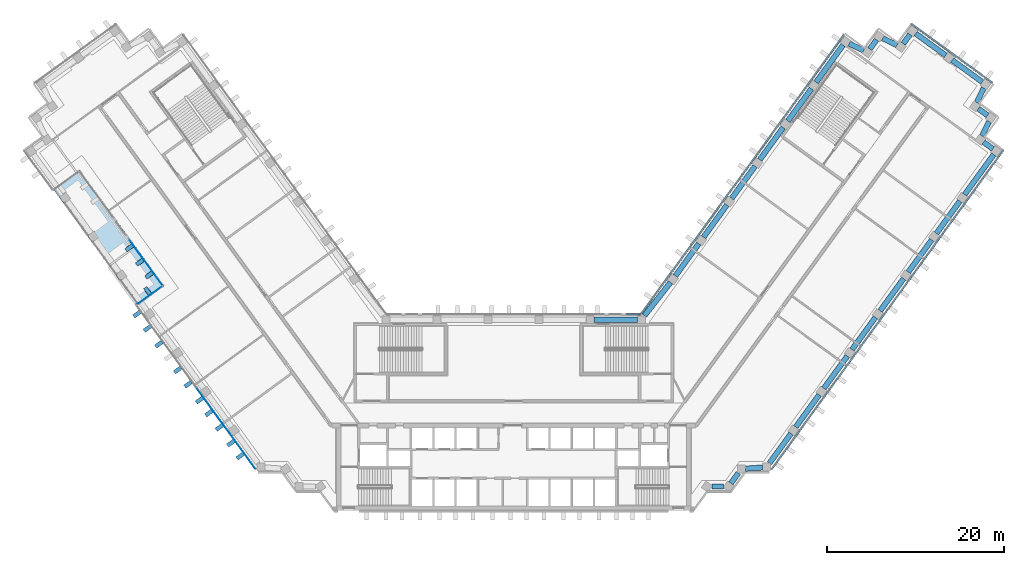
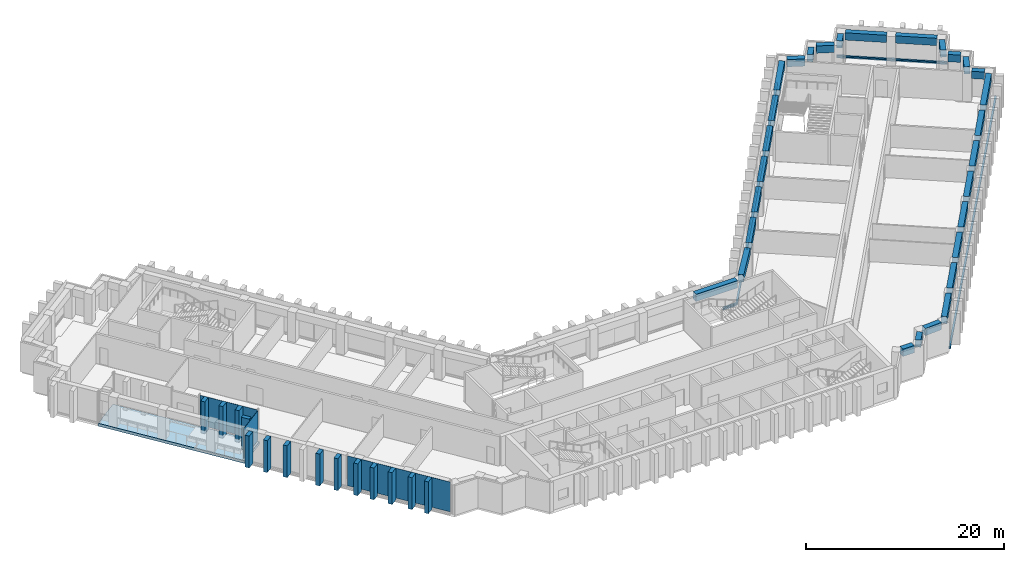
"""IFC4 building model written with IfcOpenShell, lengths in metres."""

from ifc_helpers import new_model, si_unit, direction, frame, origin, origin_2d, place, context, subcontext, project, spatial, polyline, rectangle, outline, extrude, material, layer, layer_set, material_profile, profile_set, type_object, element, aggregate, save


model = new_model("IFC4")

# Units and contexts
model_context = context("Model", 3, precision=1e-05, world=origin(), true_north=direction((0.0, 1.0)))
body_context = subcontext(model_context, "Body", "Model", "MODEL_VIEW")
ifc_project = project(units=[si_unit("LENGTHUNIT", "METRE"), si_unit("AREAUNIT", "SQUARE_METRE"), si_unit("VOLUMEUNIT", "CUBIC_METRE"), si_unit("PLANEANGLEUNIT", "RADIAN"), si_unit("MASSUNIT", "GRAM", prefix="KILO")], contexts=[model_context])

# Site, building, storey
site_placement = place(None, origin())
site = spatial("IfcSite", under=ifc_project, at=site_placement, CompositionType="ELEMENT")
building_placement = place(site_placement, origin())
building = spatial("IfcBuilding", under=site, at=building_placement, Name="Quipu Civic Tower", CompositionType="ELEMENT")
storey_1_placement = place(building_placement, frame((0.0, 0.0, 43.0)))
storey_1 = spatial("IfcBuildingStorey", under=building, at=storey_1_placement, Name="L09", CompositionType="ELEMENT", Elevation=43.0)

# Beams
ifc_material_1 = material(Name="Concrete C50/60", Category="concrete")
ifc_material_profile_1 = material_profile(ifc_material_1, rectangle(XDim=0.60009765625, YDim=0.89990234375, at=origin_2d()), Name="RC600x900")
ifc_profile_set_1 = profile_set([ifc_material_profile_1], Name="Concrete C50/60")
beam_type = type_object("IfcBeamType", Name="Spandrel beam RC 600x900 C50/60", PredefinedType="SPANDREL", material=ifc_profile_set_1)
beam_1_placement = place(storey_1_placement, frame((22.34814453125, -8.31494140625, 3.199951171875), z_axis=(1.0, 0.0, 0.0), x_axis=(0.0, 1.0, 0.0)))
element("IfcBeam", 1, at=beam_1_placement, inside=storey_1, type_object=beam_type, Name="Spandrel beam L09 J-Eo.1 to J-Eo.2", PredefinedType="SPANDREL", context=body_context, shape_type="SweptSolid", body=[
    extrude(rectangle(XDim=0.60009765625, YDim=0.89990234375, at=origin_2d()), origin(), (0.0, 0.0, 1.0), 1.33056640625),
])
beam_2_placement = place(storey_1_placement, frame((24.499755859375, -7.951171875, 3.199951171875), z_axis=(0.588433824377, 0.808545381738, 0.0), x_axis=(-0.808545381738, 0.588433824377, 0.0)))
element("IfcBeam", 2, at=beam_2_placement, inside=storey_1, type_object=beam_type, Name="Spandrel beam L09 J-Eo.2 to J-Eo.3", PredefinedType="SPANDREL", context=body_context, shape_type="SweptSolid", body=[
    extrude(rectangle(XDim=0.60009765625, YDim=0.89990234375, at=origin_2d()), origin(), (0.0, 0.0, 1.0), 1.439697265625),
])
beam_3_placement = place(storey_1_placement, frame((26.12451171875, -6.304443359375, 3.199951171875), z_axis=(0.997365981169, 0.072533437859, 0.0), x_axis=(-0.072533437859, 0.997365981169, 0.0)))
element("IfcBeam", 3, at=beam_3_placement, inside=storey_1, type_object=beam_type, Name="Spandrel beam L09 J-Eo.3 to J-Eo.4", PredefinedType="SPANDREL", context=body_context, shape_type="SweptSolid", body=[
    extrude(rectangle(XDim=0.60009765625, YDim=0.89990234375, at=origin_2d()), origin(), (0.0, 0.0, 1.0), 1.95556640625),
])
beam_4_placement = place(storey_1_placement, frame((28.85205078125, -5.679931640625, 3.199951171875), z_axis=(0.587750565781, 0.809042194464, 0.0), x_axis=(-0.809042194464, 0.587750565781, 0.0)))
element("IfcBeam", 4, at=beam_4_placement, inside=storey_1, type_object=beam_type, Name="Spandrel beam L09 J-Eo.4 to E-OUT-01", PredefinedType="SPANDREL", context=body_context, shape_type="SweptSolid", body=[
    extrude(rectangle(XDim=0.60009765625, YDim=0.89990234375, at=origin_2d()), origin(), (0.0, 0.0, 1.0), 4.13720703125),
])
beam_5_placement = place(storey_1_placement, frame((31.812744140625, -1.604736328125, 3.199951171875), z_axis=(0.587778073121, 0.809022210299, 0.0), x_axis=(-0.809022210299, 0.587778073121, 0.0)))
element("IfcBeam", 5, at=beam_5_placement, inside=storey_1, type_object=beam_type, Name="Spandrel beam L09 E-OUT-01 to E-OUT-02", PredefinedType="SPANDREL", context=body_context, shape_type="SweptSolid", body=[
    extrude(rectangle(XDim=0.60009765625, YDim=0.89990234375, at=origin_2d()), origin(), (0.0, 0.0, 1.0), 4.5),
])
beam_6_placement = place(storey_1_placement, frame((34.98681640625, 2.76416015625, 3.199951171875), z_axis=(0.587803872688, 0.809003465539, 0.0), x_axis=(-0.809003465539, 0.587803872688, 0.0)))
element("IfcBeam", 6, at=beam_6_placement, inside=storey_1, type_object=beam_type, Name="Spandrel beam L09 E-OUT-02 to E-OUT-03", PredefinedType="SPANDREL", context=body_context, shape_type="SweptSolid", body=[
    extrude(rectangle(XDim=0.60009765625, YDim=0.89990234375, at=origin_2d()), origin(), (0.0, 0.0, 1.0), 4.499755859375),
])
for number, where, z_axis, x_axis, name in (
    (7, (38.160888671875, 7.1328125, 3.199951171875), (0.587778073121, 0.809022210299, 0.0), (-0.809022210299, 0.587778073121, 0.0), "Spandrel beam L09 E-OUT-03 to E-OUT-04"),
    (8, (41.3349609375, 11.50146484375, 3.199951171875), (0.587778073121, 0.809022210299, 0.0), (-0.809022210299, 0.587778073121, 0.0), "Spandrel beam L09 E-OUT-04 to E-OUT-05"),
):
    element("IfcBeam", number, at=place(storey_1_placement, frame(where, z_axis=z_axis, x_axis=x_axis)), inside=storey_1, type_object=beam_type, Name=name, PredefinedType="SPANDREL", context=body_context, shape_type="SweptSolid", body=[
        extrude(rectangle(XDim=0.60009765625, YDim=0.89990234375, at=origin_2d()), origin(), (0.0, 0.0, 1.0), 4.5),
    ])
beam_7_placement = place(storey_1_placement, frame((44.5087890625, 15.870361328125, 3.199951171875), z_axis=(0.587803872688, 0.809003465539, 0.0), x_axis=(-0.809003465539, 0.587803872688, 0.0)))
element("IfcBeam", 9, at=beam_7_placement, inside=storey_1, type_object=beam_type, Name="Spandrel beam L09 E-OUT-05 to E-OUT-06", PredefinedType="SPANDREL", context=body_context, shape_type="SweptSolid", body=[
    extrude(rectangle(XDim=0.60009765625, YDim=0.89990234375, at=origin_2d()), origin(), (0.0, 0.0, 1.0), 4.499755859375),
])
beam_8_placement = place(storey_1_placement, frame((47.682861328125, 20.23876953125, 3.199951171875), z_axis=(0.587778073121, 0.809022210299, 0.0), x_axis=(-0.809022210299, 0.587778073121, 0.0)))
element("IfcBeam", 10, at=beam_8_placement, inside=storey_1, type_object=beam_type, Name="Spandrel beam L09 E-OUT-06 to E-OUT-07", PredefinedType="SPANDREL", context=body_context, shape_type="SweptSolid", body=[
    extrude(rectangle(XDim=0.60009765625, YDim=0.89990234375, at=origin_2d()), origin(), (0.0, 0.0, 1.0), 4.5),
])
beam_9_placement = place(storey_1_placement, frame((50.85693359375, 24.607666015625, 3.199951171875), z_axis=(0.587772657145, 0.809026145135, 0.0), x_axis=(-0.809026145135, 0.587772657145, 0.0)))
element("IfcBeam", 11, at=beam_9_placement, inside=storey_1, type_object=beam_type, Name="Spandrel beam L09 E-OUT-07 to T-Eo.0-E50", PredefinedType="SPANDREL", context=body_context, shape_type="SweptSolid", body=[
    extrude(rectangle(XDim=0.60009765625, YDim=0.89990234375, at=origin_2d()), origin(), (0.0, 0.0, 1.0), 5.603271484375),
])
beam_10_placement = place(storey_1_placement, frame((54.051025390625, 29.769775390625, 3.199951171875), z_axis=(-0.808549242423, 0.588428519514, 0.0), x_axis=(-0.588428519514, -0.808549242423, 0.0)))
element("IfcBeam", 12, at=beam_10_placement, inside=storey_1, type_object=beam_type, Name="Spandrel beam L09 T-Eo.0-E50 to T-Eo.1-E50", PredefinedType="SPANDREL", context=body_context, shape_type="SweptSolid", body=[
    extrude(rectangle(XDim=0.60009765625, YDim=0.89990234375, at=origin_2d()), origin(), (0.0, 0.0, 1.0), 1.2998046875),
])
beam_11_placement = place(storey_1_placement, frame((52.83349609375, 31.21240234375, 3.199951171875), z_axis=(0.431446050156, 0.902138739776, 0.0), x_axis=(-0.902138739776, 0.431446050156, 0.0)))
element("IfcBeam", 13, at=beam_11_placement, inside=storey_1, type_object=beam_type, Name="Spandrel beam L09 T-Eo.1-E50 to T-Eo.2-E50", PredefinedType="SPANDREL", context=body_context, shape_type="SweptSolid", body=[
    extrude(rectangle(XDim=0.60009765625, YDim=0.89990234375, at=origin_2d()), origin(), (0.0, 0.0, 1.0), 1.828857421875),
])
beam_12_placement = place(storey_1_placement, frame((53.4560546875, 33.539794921875, 3.199951171875), z_axis=(-0.808509099783, 0.588483674853, 0.0), x_axis=(-0.588483674853, -0.808509099783, 0.0)))
element("IfcBeam", 14, at=beam_12_placement, inside=storey_1, type_object=beam_type, Name="Spandrel beam L09 T-Eo.2-E50 to T-Eo.3-E50", PredefinedType="SPANDREL", context=body_context, shape_type="SweptSolid", body=[
    extrude(rectangle(XDim=0.60009765625, YDim=0.89990234375, at=origin_2d()), origin(), (0.0, 0.0, 1.0), 1.302734375),
])
beam_13_placement = place(storey_1_placement, frame((52.23583984375, 34.984375, 3.199951171875), z_axis=(0.430166558323, 0.902749540072, 0.0), x_axis=(-0.902749540072, 0.430166558323, 0.0)))
element("IfcBeam", 15, at=beam_13_placement, inside=storey_1, type_object=beam_type, Name="Spandrel beam L09 T-Eo.3-E50 to T-Eo.4-E50", PredefinedType="SPANDREL", context=body_context, shape_type="SweptSolid", body=[
    extrude(rectangle(XDim=0.60009765625, YDim=0.89990234375, at=origin_2d()), origin(), (0.0, 0.0, 1.0), 1.830322265625),
])
beam_14_placement = place(storey_1_placement, frame((52.85595703125, 37.314453125, 3.199951171875), z_axis=(-0.808959834407, 0.587863918196, 0.0), x_axis=(-0.587863918196, -0.808959834407, 0.0)))
element("IfcBeam", 16, at=beam_14_placement, inside=storey_1, type_object=beam_type, Name="Spandrel beam L09 T-Eo.4-E50 to TIP-E-01-E50", PredefinedType="SPANDREL", context=body_context, shape_type="SweptSolid", body=[
    extrude(rectangle(XDim=0.60009765625, YDim=0.89990234375, at=origin_2d()), origin(), (0.0, 0.0, 1.0), 4.1982421875),
])
beam_15_placement = place(storey_1_placement, frame((48.731689453125, 40.3115234375, 3.199951171875), z_axis=(-0.808969789945, 0.58785021813, 0.0), x_axis=(-0.58785021813, -0.808969789945, 0.0)))
element("IfcBeam", 17, at=beam_15_placement, inside=storey_1, type_object=beam_type, Name="Spandrel beam L09 TIP-E-01-E50 to T-Ei.0-E50", PredefinedType="SPANDREL", context=body_context, shape_type="SweptSolid", body=[
    extrude(rectangle(XDim=0.60009765625, YDim=0.89990234375, at=origin_2d()), origin(), (0.0, 0.0, 1.0), 4.199951171875),
])
beam_16_placement = place(storey_1_placement, frame((44.705322265625, 42.68115234375, 3.199951171875), z_axis=(-0.588383572423, -0.808581951136, 0.0), x_axis=(0.808581951136, -0.588383572423, 0.0)))
element("IfcBeam", 18, at=beam_16_placement, inside=storey_1, type_object=beam_type, Name="Spandrel beam L09 T-Ei.0-E50 to T-Ei.1-E50", PredefinedType="SPANDREL", context=body_context, shape_type="SweptSolid", body=[
    extrude(rectangle(XDim=0.60009765625, YDim=0.89990234375, at=origin_2d()), origin(), (0.0, 0.0, 1.0), 1.3017578125),
])
beam_17_placement = place(storey_1_placement, frame((43.261474609375, 41.4619140625, 3.199951171875), z_axis=(-0.902613270121, 0.430452418511, 0.0), x_axis=(-0.430452418511, -0.902613270121, 0.0)))
element("IfcBeam", 19, at=beam_17_placement, inside=storey_1, type_object=beam_type, Name="Spandrel beam L09 T-Ei.1-E50 to T-Ei.2-E50", PredefinedType="SPANDREL", context=body_context, shape_type="SweptSolid", body=[
    extrude(rectangle(XDim=0.60009765625, YDim=0.89990234375, at=origin_2d()), origin(), (0.0, 0.0, 1.0), 1.826416015625),
])
beam_18_placement = place(storey_1_placement, frame((40.935302734375, 42.0810546875, 3.199951171875), z_axis=(-0.588461937499, -0.808524921146, 0.0), x_axis=(0.808524921146, -0.588461937499, 0.0)))
element("IfcBeam", 20, at=beam_18_placement, inside=storey_1, type_object=beam_type, Name="Spandrel beam L09 T-Ei.2-E50 to T-Ei.3-E50", PredefinedType="SPANDREL", context=body_context, shape_type="SweptSolid", body=[
    extrude(rectangle(XDim=0.60009765625, YDim=0.89990234375, at=origin_2d()), origin(), (0.0, 0.0, 1.0), 1.30029296875),
])
beam_19_placement = place(storey_1_placement, frame((39.492431640625, 40.863037109375, 3.199951171875), z_axis=(-0.90245397739, 0.430786279601, 0.0), x_axis=(-0.430786279601, -0.90245397739, 0.0)))
element("IfcBeam", 21, at=beam_19_placement, inside=storey_1, type_object=beam_type, Name="Spandrel beam L09 T-Ei.3-E50 to T-Ei.4-E50", PredefinedType="SPANDREL", context=body_context, shape_type="SweptSolid", body=[
    extrude(rectangle(XDim=0.60009765625, YDim=0.89990234375, at=origin_2d()), origin(), (0.0, 0.0, 1.0), 1.83349609375),
])
beam_20_placement = place(storey_1_placement, frame((37.160400390625, 41.48583984375, 3.199951171875), z_axis=(-0.587732861365, -0.80905505602, 0.0), x_axis=(0.80905505602, -0.587732861365, 0.0)))
element("IfcBeam", 22, at=beam_20_placement, inside=storey_1, type_object=beam_type, Name="Spandrel beam L09 T-Ei.4-E50 to E-IN-06", PredefinedType="SPANDREL", context=body_context, shape_type="SweptSolid", body=[
    extrude(rectangle(XDim=0.60009765625, YDim=0.89990234375, at=origin_2d()), origin(), (0.0, 0.0, 1.0), 5.194580078125),
])
for number, where, z_axis, x_axis, name in (
    (23, (33.578369140625, 36.55517578125, 3.199951171875), (-0.587716763865, -0.809066749701, 0.0), (0.809066749701, -0.587716763865, 0.0), "Spandrel beam L09 E-IN-06 to E-IN-05"),
    (24, (30.404541015625, 32.186279296875, 3.199951171875), (-0.587742561851, -0.809048009076, 0.0), (0.809048009076, -0.587742561851, 0.0), "Spandrel beam L09 E-IN-05 to E-IN-04"),
    (25, (27.230712890625, 27.8173828125, 3.199951171875), (-0.587778073121, -0.809022210299, 0.0), (0.809022210299, -0.587778073121, 0.0), "Spandrel beam L09 E-IN-04 to E-IN-03"),
    (26, (24.056884765625, 23.448486328125, 3.199951171875), (-0.587778073121, -0.809022210299, 0.0), (0.809022210299, -0.587778073121, 0.0), "Spandrel beam L09 E-IN-03 to E-IN-02"),
    (27, (20.8828125, 19.079833984375, 3.199951171875), (-0.587716763865, -0.809066749701, 0.0), (0.809066749701, -0.587716763865, 0.0), "Spandrel beam L09 E-IN-02 to E-IN-01"),
):
    element("IfcBeam", number, at=place(storey_1_placement, frame(where, z_axis=z_axis, x_axis=x_axis)), inside=storey_1, type_object=beam_type, Name=name, PredefinedType="SPANDREL", context=body_context, shape_type="SweptSolid", body=[
        extrude(rectangle(XDim=0.60009765625, YDim=0.89990234375, at=origin_2d()), origin(), (0.0, 0.0, 1.0), 4.5),
    ])
beam_21_placement = place(storey_1_placement, frame((17.6962890625, 14.72021484375, 3.199951171875), z_axis=(-0.616123961998, -0.787649200756, 0.0), x_axis=(0.787649200756, -0.616123961998, 0.0)))
element("IfcBeam", 28, at=beam_21_placement, inside=storey_1, type_object=beam_type, Name="Spandrel beam L09 E-IN-01 to J-Ei.0", PredefinedType="SPANDREL", context=body_context, shape_type="SweptSolid", body=[
    extrude(rectangle(XDim=0.60009765625, YDim=0.89990234375, at=origin_2d()), origin(), (0.0, 0.0, 1.0), 4.78662109375),
])
beam_22_placement = place(storey_1_placement, frame((13.9453125, 10.5, 3.199951171875), z_axis=(-1.0, 0.0, 0.0), x_axis=(0.0, -1.0, 0.0)))
element("IfcBeam", 29, at=beam_22_placement, inside=storey_1, type_object=beam_type, Name="Spandrel beam L09 J-Ei.0 to FRONT-01", PredefinedType="SPANDREL", context=body_context, shape_type="SweptSolid", body=[
    extrude(rectangle(XDim=0.60009765625, YDim=0.89990234375, at=origin_2d()), origin(), (0.0, 0.0, 1.0), 4.858154296875),
])

# Storey
storey_2_placement = place(building_placement, frame((0.0, 0.0, 35.0)))
storey_2 = spatial("IfcBuildingStorey", under=building, at=storey_2_placement, Name="L07", CompositionType="ELEMENT", Elevation=35.0)

# Curtain wall, members
ifc_material_2 = material(Name="Insulated glass unit", Category="glass")
curtain_wall_type = type_object("IfcCurtainWallType", Name="Office curtain wall CW1", PredefinedType="NOTDEFINED", material=ifc_material_2)
curtain_wall_1_placement = place(storey_2_placement, origin())
curtain_wall_1 = element("IfcCurtainWall", 30, at=curtain_wall_1_placement, inside=storey_2, type_object=curtain_wall_type, Name="Office curtain wall CW1 L06 run 16", PredefinedType="NOTDEFINED")
ifc_material_3 = material(Name="Anodised aluminium", Category="aluminium")
ifc_material_profile_2 = material_profile(ifc_material_3, rectangle(XDim=0.199951171875, YDim=0.159912109375, at=origin_2d()), Name="RECT 200x160")
ifc_profile_set_2 = profile_set([ifc_material_profile_2], Name="Anodised aluminium")
member_type = type_object("IfcMemberType", Name="Transom CW1", PredefinedType="USERDEFINED", material=ifc_profile_set_2)
member_1_placement = place(storey_1_placement, frame((29.10302734375, -6.35546875, 0.0), z_axis=(0.587779179422, 0.809021406539, 0.0), x_axis=(-0.809021406539, 0.587779179422, 0.0)))
member_1 = element("IfcMember", 31, at=member_1_placement, inside=storey_1, type_object=member_type, Name="CW1 transom 1.4", ObjectType="TRANSOM", PredefinedType="USERDEFINED", context=body_context, shape_type="SweptSolid", body=[
    extrude(rectangle(XDim=0.199951171875, YDim=0.159912109375, at=origin_2d()), origin(), (0.0, 0.0, 1.0), 11.02294921875),
])
member_2_placement = place(storey_1_placement, frame((35.62890625, 2.626953125, 0.0), z_axis=(0.587795037589, 0.80900988485, 0.0), x_axis=(-0.80900988485, 0.587795037589, 0.0)))
member_2 = element("IfcMember", 32, at=member_2_placement, inside=storey_1, type_object=member_type, Name="CW1 transom 2.4", ObjectType="TRANSOM", PredefinedType="USERDEFINED", context=body_context, shape_type="SweptSolid", body=[
    extrude(rectangle(XDim=0.199951171875, YDim=0.159912109375, at=origin_2d()), origin(), (0.0, 0.0, 1.0), 11.062744140625),
])
member_3_placement = place(storey_1_placement, frame((42.178466796875, 11.6416015625, 0.0), z_axis=(0.587795037589, 0.80900988485, 0.0), x_axis=(-0.80900988485, 0.587795037589, 0.0)))
member_3 = element("IfcMember", 33, at=member_3_placement, inside=storey_1, type_object=member_type, Name="CW1 transom 3.4", ObjectType="TRANSOM", PredefinedType="USERDEFINED", context=body_context, shape_type="SweptSolid", body=[
    extrude(rectangle(XDim=0.199951171875, YDim=0.159912109375, at=origin_2d()), origin(), (0.0, 0.0, 1.0), 11.062744140625),
])
member_4_placement = place(storey_1_placement, frame((48.72802734375, 20.65625, 0.0), z_axis=(0.587779179422, 0.809021406539, 0.0), x_axis=(-0.809021406539, 0.587779179422, 0.0)))
member_4 = element("IfcMember", 34, at=member_4_placement, inside=storey_1, type_object=member_type, Name="CW1 transom 4.4", ObjectType="TRANSOM", PredefinedType="USERDEFINED", context=body_context, shape_type="SweptSolid", body=[
    extrude(rectangle(XDim=0.199951171875, YDim=0.159912109375, at=origin_2d()), origin(), (0.0, 0.0, 1.0), 11.02294921875),
])
aggregate(curtain_wall_1, [member_1, member_2, member_3, member_4])

# Curtain wall, member
curtain_wall_2_placement = place(storey_2_placement, origin())
curtain_wall_2 = element("IfcCurtainWall", 35, at=curtain_wall_2_placement, inside=storey_2, type_object=curtain_wall_type, Name="Office curtain wall CW1 L06 run 21", PredefinedType="NOTDEFINED")
member_5_placement = place(storey_1_placement, frame((53.994873046875, 37.228515625, 0.0), z_axis=(-0.809032792449, 0.587763507495, 0.0), x_axis=(-0.587763507495, -0.809032792449, 0.0)))
member_5 = element("IfcMember", 36, at=member_5_placement, inside=storey_1, type_object=member_type, Name="CW1 transom 1.4", ObjectType="TRANSOM", PredefinedType="USERDEFINED", context=body_context, shape_type="SweptSolid", body=[
    extrude(rectangle(XDim=0.199951171875, YDim=0.159912109375, at=origin_2d()), origin(), (0.0, 0.0, 1.0), 11.239990234375),
])
aggregate(curtain_wall_2, [member_5])

# Curtain wall, members
curtain_wall_3_placement = place(storey_2_placement, origin())
curtain_wall_3 = element("IfcCurtainWall", 37, at=curtain_wall_3_placement, inside=storey_2, type_object=curtain_wall_type, Name="Office curtain wall CW1 L06 run 26", PredefinedType="NOTDEFINED")
member_6_placement = place(storey_1_placement, frame((37.246826171875, 42.622802734375, 0.0), z_axis=(-0.587775627857, -0.809023986849, 0.0), x_axis=(0.809023986849, -0.587775627857, 0.0)))
member_6 = element("IfcMember", 38, at=member_6_placement, inside=storey_1, type_object=member_type, Name="CW1 transom 1.4", ObjectType="TRANSOM", PredefinedType="USERDEFINED", context=body_context, shape_type="SweptSolid", body=[
    extrude(rectangle(XDim=0.199951171875, YDim=0.159912109375, at=origin_2d()), origin(), (0.0, 0.0, 1.0), 9.64111328125),
])
member_7_placement = place(storey_1_placement, frame((31.532958984375, 34.75830078125, 0.0), z_axis=(-0.58778177227, -0.809019522748, 0.0), x_axis=(0.809019522748, -0.58778177227, 0.0)))
member_7 = element("IfcMember", 39, at=member_7_placement, inside=storey_1, type_object=member_type, Name="CW1 transom 2.4", ObjectType="TRANSOM", PredefinedType="USERDEFINED", context=body_context, shape_type="SweptSolid", body=[
    extrude(rectangle(XDim=0.199951171875, YDim=0.159912109375, at=origin_2d()), origin(), (0.0, 0.0, 1.0), 9.68115234375),
])
member_8_placement = place(storey_1_placement, frame((25.795654296875, 26.861328125, 0.0), z_axis=(-0.587793764301, -0.80901080997, 0.0), x_axis=(0.80901080997, -0.587793764301, 0.0)))
member_8 = element("IfcMember", 40, at=member_8_placement, inside=storey_1, type_object=member_type, Name="CW1 transom 3.4", ObjectType="TRANSOM", PredefinedType="USERDEFINED", context=body_context, shape_type="SweptSolid", body=[
    extrude(rectangle(XDim=0.199951171875, YDim=0.159912109375, at=origin_2d()), origin(), (0.0, 0.0, 1.0), 9.680908203125),
])
member_9_placement = place(storey_1_placement, frame((20.05810546875, 18.964599609375, 0.0), z_axis=(-0.58779220199, -0.809011945079, 0.0), x_axis=(0.809011945079, -0.58779220199, 0.0)))
member_9 = element("IfcMember", 41, at=member_9_placement, inside=storey_1, type_object=member_type, Name="CW1 transom 4.4", ObjectType="TRANSOM", PredefinedType="USERDEFINED", context=body_context, shape_type="SweptSolid", body=[
    extrude(rectangle(XDim=0.199951171875, YDim=0.159912109375, at=origin_2d()), origin(), (0.0, 0.0, 1.0), 9.64111328125),
])
aggregate(curtain_wall_3, [member_6, member_7, member_8, member_9])

# Curtain wall, member
curtain_wall_4_placement = place(storey_2_placement, origin())
curtain_wall_4 = element("IfcCurtainWall", 42, at=curtain_wall_4_placement, inside=storey_2, type_object=curtain_wall_type, Name="Office curtain wall CW1 L06 run 27", PredefinedType="NOTDEFINED")
member_10_placement = place(storey_1_placement, frame((14.26416015625, 11.10009765625, 0.0), z_axis=(-1.0, 0.0, 0.0), x_axis=(0.0, -1.0, 0.0)))
member_10 = element("IfcMember", 43, at=member_10_placement, inside=storey_1, type_object=member_type, Name="CW1 transom 1.4", ObjectType="TRANSOM", PredefinedType="USERDEFINED", context=body_context, shape_type="SweptSolid", body=[
    extrude(rectangle(XDim=0.199951171875, YDim=0.159912109375, at=origin_2d()), origin(), (0.0, 0.0, 1.0), 1.529052734375),
])
aggregate(curtain_wall_4, [member_10])

# Storey
storey_3_placement = place(building_placement, frame((0.0, 0.0, 47.0)))
storey_3 = spatial("IfcBuildingStorey", under=building, at=storey_3_placement, Name="L10", CompositionType="ELEMENT", Elevation=47.0)

# Curtain wall, members
curtain_wall_5_placement = place(storey_3_placement, origin())
curtain_wall_5 = element("IfcCurtainWall", 44, at=curtain_wall_5_placement, inside=storey_3, type_object=curtain_wall_type, Name="Office curtain wall CW1 L09 run 19", PredefinedType="NOTDEFINED")
member_11_placement = place(storey_1_placement, frame((29.10302734375, -6.35546875, 0.159912109375), z_axis=(0.587779179422, 0.809021406539, 0.0), x_axis=(-0.809021406539, 0.587779179422, 0.0)))
member_11 = element("IfcMember", 45, at=member_11_placement, inside=storey_1, type_object=member_type, Name="CW1 transom 1.1", ObjectType="TRANSOM", PredefinedType="USERDEFINED", context=body_context, shape_type="SweptSolid", body=[
    extrude(rectangle(XDim=0.199951171875, YDim=0.159912109375, at=origin_2d()), origin(), (0.0, 0.0, 1.0), 11.02294921875),
])
member_12_placement = place(storey_1_placement, frame((35.62890625, 2.626953125, 0.159912109375), z_axis=(0.587795037589, 0.80900988485, 0.0), x_axis=(-0.80900988485, 0.587795037589, 0.0)))
member_12 = element("IfcMember", 46, at=member_12_placement, inside=storey_1, type_object=member_type, Name="CW1 transom 2.1", ObjectType="TRANSOM", PredefinedType="USERDEFINED", context=body_context, shape_type="SweptSolid", body=[
    extrude(rectangle(XDim=0.199951171875, YDim=0.159912109375, at=origin_2d()), origin(), (0.0, 0.0, 1.0), 11.062744140625),
])
member_13_placement = place(storey_1_placement, frame((42.178466796875, 11.6416015625, 0.159912109375), z_axis=(0.587795037589, 0.80900988485, 0.0), x_axis=(-0.80900988485, 0.587795037589, 0.0)))
member_13 = element("IfcMember", 47, at=member_13_placement, inside=storey_1, type_object=member_type, Name="CW1 transom 3.1", ObjectType="TRANSOM", PredefinedType="USERDEFINED", context=body_context, shape_type="SweptSolid", body=[
    extrude(rectangle(XDim=0.199951171875, YDim=0.159912109375, at=origin_2d()), origin(), (0.0, 0.0, 1.0), 11.062744140625),
])
member_14_placement = place(storey_1_placement, frame((48.72802734375, 20.65625, 0.159912109375), z_axis=(0.587779179422, 0.809021406539, 0.0), x_axis=(-0.809021406539, 0.587779179422, 0.0)))
member_14 = element("IfcMember", 48, at=member_14_placement, inside=storey_1, type_object=member_type, Name="CW1 transom 4.1", ObjectType="TRANSOM", PredefinedType="USERDEFINED", context=body_context, shape_type="SweptSolid", body=[
    extrude(rectangle(XDim=0.199951171875, YDim=0.159912109375, at=origin_2d()), origin(), (0.0, 0.0, 1.0), 11.02294921875),
])
aggregate(curtain_wall_5, [member_11, member_12, member_13, member_14])

# Curtain wall, member
curtain_wall_6_placement = place(storey_3_placement, origin())
curtain_wall_6 = element("IfcCurtainWall", 49, at=curtain_wall_6_placement, inside=storey_3, type_object=curtain_wall_type, Name="Office curtain wall CW1 L09 run 24", PredefinedType="NOTDEFINED")
member_15_placement = place(storey_1_placement, frame((53.994873046875, 37.228515625, 0.159912109375), z_axis=(-0.809032792449, 0.587763507495, 0.0), x_axis=(-0.587763507495, -0.809032792449, 0.0)))
member_15 = element("IfcMember", 50, at=member_15_placement, inside=storey_1, type_object=member_type, Name="CW1 transom 1.1", ObjectType="TRANSOM", PredefinedType="USERDEFINED", context=body_context, shape_type="SweptSolid", body=[
    extrude(rectangle(XDim=0.199951171875, YDim=0.159912109375, at=origin_2d()), origin(), (0.0, 0.0, 1.0), 11.239990234375),
])
aggregate(curtain_wall_6, [member_15])

# Curtain wall, members
curtain_wall_7_placement = place(storey_3_placement, origin())
curtain_wall_7 = element("IfcCurtainWall", 51, at=curtain_wall_7_placement, inside=storey_3, type_object=curtain_wall_type, Name="Office curtain wall CW1 L09 run 29", PredefinedType="NOTDEFINED")
member_16_placement = place(storey_1_placement, frame((37.246826171875, 42.622802734375, 0.159912109375), z_axis=(-0.587775627857, -0.809023986849, 0.0), x_axis=(0.809023986849, -0.587775627857, 0.0)))
member_16 = element("IfcMember", 52, at=member_16_placement, inside=storey_1, type_object=member_type, Name="CW1 transom 1.1", ObjectType="TRANSOM", PredefinedType="USERDEFINED", context=body_context, shape_type="SweptSolid", body=[
    extrude(rectangle(XDim=0.199951171875, YDim=0.159912109375, at=origin_2d()), origin(), (0.0, 0.0, 1.0), 9.64111328125),
])
member_17_placement = place(storey_1_placement, frame((31.532958984375, 34.75830078125, 0.159912109375), z_axis=(-0.58778177227, -0.809019522748, 0.0), x_axis=(0.809019522748, -0.58778177227, 0.0)))
member_17 = element("IfcMember", 53, at=member_17_placement, inside=storey_1, type_object=member_type, Name="CW1 transom 2.1", ObjectType="TRANSOM", PredefinedType="USERDEFINED", context=body_context, shape_type="SweptSolid", body=[
    extrude(rectangle(XDim=0.199951171875, YDim=0.159912109375, at=origin_2d()), origin(), (0.0, 0.0, 1.0), 9.68115234375),
])
member_18_placement = place(storey_1_placement, frame((25.795654296875, 26.861328125, 0.159912109375), z_axis=(-0.587793764301, -0.80901080997, 0.0), x_axis=(0.80901080997, -0.587793764301, 0.0)))
member_18 = element("IfcMember", 54, at=member_18_placement, inside=storey_1, type_object=member_type, Name="CW1 transom 3.1", ObjectType="TRANSOM", PredefinedType="USERDEFINED", context=body_context, shape_type="SweptSolid", body=[
    extrude(rectangle(XDim=0.199951171875, YDim=0.159912109375, at=origin_2d()), origin(), (0.0, 0.0, 1.0), 9.680908203125),
])
member_19_placement = place(storey_1_placement, frame((20.05810546875, 18.964599609375, 0.159912109375), z_axis=(-0.58779220199, -0.809011945079, 0.0), x_axis=(0.809011945079, -0.58779220199, 0.0)))
member_19 = element("IfcMember", 55, at=member_19_placement, inside=storey_1, type_object=member_type, Name="CW1 transom 4.1", ObjectType="TRANSOM", PredefinedType="USERDEFINED", context=body_context, shape_type="SweptSolid", body=[
    extrude(rectangle(XDim=0.199951171875, YDim=0.159912109375, at=origin_2d()), origin(), (0.0, 0.0, 1.0), 9.64111328125),
])
aggregate(curtain_wall_7, [member_16, member_17, member_18, member_19])

# Curtain wall, member
curtain_wall_8_placement = place(storey_3_placement, origin())
curtain_wall_8 = element("IfcCurtainWall", 56, at=curtain_wall_8_placement, inside=storey_3, type_object=curtain_wall_type, Name="Office curtain wall CW1 L09 run 30", PredefinedType="NOTDEFINED")
member_20_placement = place(storey_1_placement, frame((14.26416015625, 11.10009765625, 0.159912109375), z_axis=(-1.0, 0.0, 0.0), x_axis=(0.0, -1.0, 0.0)))
member_20 = element("IfcMember", 57, at=member_20_placement, inside=storey_1, type_object=member_type, Name="CW1 transom 1.1", ObjectType="TRANSOM", PredefinedType="USERDEFINED", context=body_context, shape_type="SweptSolid", body=[
    extrude(rectangle(XDim=0.199951171875, YDim=0.159912109375, at=origin_2d()), origin(), (0.0, 0.0, 1.0), 1.529052734375),
])
aggregate(curtain_wall_8, [member_20])

# Curtain wall, plate
curtain_wall_9_placement = place(storey_1_placement, origin())
curtain_wall_9 = element("IfcCurtainWall", 58, at=curtain_wall_9_placement, inside=storey_1, type_object=curtain_wall_type, Name="Office curtain wall CW1 L09 run 5", PredefinedType="NOTDEFINED")
ifc_material_4 = material(Name="Insulated glass unit", Category="glass")
ifc_layer_1 = layer(ifc_material_4, 0.028076171875)
ifc_layer_set_1 = layer_set([ifc_layer_1], Name="Insulated glass unit")
plate_type_1 = type_object("IfcPlateType", Name="Glass panel CW1", PredefinedType="CURTAIN_PANEL", material=ifc_layer_set_1)
plate_1_placement = place(storey_1_placement, frame((-41.491943359375, 16.967041015625, 0.240234375), z_axis=(0.0, 0.0, 1.0), x_axis=(0.587788532535, -0.809014611129, 0.0)))
plate_1 = element("IfcPlate", 59, at=plate_1_placement, type_object=plate_type_1, Name="CW1 panel 1.1", PredefinedType="CURTAIN_PANEL", context=body_context, shape_type="SweptSolid", body=[
    extrude(rectangle(XDim=6.358642578125, YDim=0.028076171875, at=origin_2d()), origin(), (0.0, 0.0, 1.0), 3.679931640625),
])
aggregate(curtain_wall_9, [plate_1])

curtain_wall_10_placement = place(storey_1_placement, origin())
curtain_wall_10 = element("IfcCurtainWall", 60, at=curtain_wall_10_placement, inside=storey_1, type_object=curtain_wall_type, Name="Office curtain wall CW1 L09 run 6", PredefinedType="NOTDEFINED")
plate_2_placement = place(storey_1_placement, frame((-41.06689453125, 13.2470703125, 0.240234375), z_axis=(0.0, 0.0, 1.0), x_axis=(-0.809017576253, -0.587784451405, 0.0)))
plate_2 = element("IfcPlate", 61, at=plate_2_placement, type_object=plate_type_1, Name="CW1 panel 1.1", PredefinedType="CURTAIN_PANEL", context=body_context, shape_type="SweptSolid", body=[
    extrude(rectangle(XDim=3.525634765625, YDim=0.028076171875, at=origin_2d()), origin(), (0.0, 0.0, 1.0), 3.679931640625),
])
aggregate(curtain_wall_10, [plate_2])

curtain_wall_11_placement = place(storey_1_placement, origin())
curtain_wall_11 = element("IfcCurtainWall", 62, at=curtain_wall_11_placement, inside=storey_1, type_object=curtain_wall_type, Name="Office curtain wall CW1 L09 run 7", PredefinedType="NOTDEFINED")
plate_3_placement = place(storey_1_placement, frame((-32.443115234375, -1.7578125, 0.240234375), z_axis=(0.0, 0.0, 1.0), x_axis=(0.587783362073, -0.809018367696, 0.0)))
plate_3 = element("IfcPlate", 63, at=plate_3_placement, type_object=plate_type_1, Name="CW1 panel 2.1", PredefinedType="CURTAIN_PANEL", context=body_context, shape_type="SweptSolid", body=[
    extrude(rectangle(XDim=11.365478515625, YDim=0.028076171875, at=origin_2d()), origin(), (0.0, 0.0, 1.0), 3.679931640625),
])
aggregate(curtain_wall_11, [plate_3])

# Plates
ifc_material_5 = material(Name="Precast concrete C40/50", Category="concrete")
plate_type_2 = type_object("IfcPlateType", Name="Precast fin F1", PredefinedType="SHEET", material=ifc_material_5)
for number, where, z_axis, x_axis, name in (
    (64, (-43.35693359375, 18.598388671875, 0.080078125), (0.0, 0.0, 1.0), (0.587790651094, -0.809013071889, 0.0), "Precast fin F1 L09.5.1"),
    (65, (-42.18115234375, 16.980224609375, 0.080078125), (0.0, 0.0, 1.0), (0.587790651094, -0.809013071889, 0.0), "Precast fin F1 L09.5.2"),
    (66, (-41.123291015625, 15.52392578125, 0.080078125), (0.0, 0.0, 1.0), (0.587790651094, -0.809013071889, 0.0), "Precast fin F1 L09.5.3"),
    (67, (-41.294921875, 13.761474609375, 0.080078125), (0.0, 0.0, 1.0), (-0.809017576253, -0.587784451405, 0.0), "Precast fin F1 L09.6.1"),
    (68, (-42.488525390625, 11.1328125, 0.080078125), (0.0, 0.0, 1.0), (0.587783685959, -0.809018132381, 0.0), "Precast fin F1 L09.7.1"),
    (69, (-41.31298828125, 9.5146484375, 0.080078125), (0.0, 0.0, 1.0), (0.587783685959, -0.809018132381, 0.0), "Precast fin F1 L09.7.2"),
    (70, (-40.019775390625, 7.73486328125, 0.080078125), (0.0, 0.0, 1.0), (0.587783685959, -0.809018132381, 0.0), "Precast fin F1 L09.7.3"),
    (71, (-37.90380859375, 4.822509765625, 0.080078125), (0.0, 0.0, 1.0), (0.587783685959, -0.809018132381, 0.0), "Precast fin F1 L09.7.5"),
    (72, (-36.728271484375, 3.204345703125, 0.080078125), (0.0, 0.0, 1.0), (0.587783685959, -0.809018132381, 0.0), "Precast fin F1 L09.7.6"),
    (73, (-35.43505859375, 1.424560546875, 0.080078125), (0.0, 0.0, 1.0), (0.587783685959, -0.809018132381, 0.0), "Precast fin F1 L09.7.7"),
    (74, (-34.377197265625, -0.03173828125, 0.080078125), (0.0, 0.0, 1.0), (0.587783685959, -0.809018132381, 0.0), "Precast fin F1 L09.7.8"),
    (75, (-33.20166015625, -1.649658203125, 0.080078125), (0.0, 0.0, 1.0), (0.587783685959, -0.809018132381, 0.0), "Precast fin F1 L09.7.9"),
    (76, (-31.908447265625, -3.4296875, 0.080078125), (0.0, 0.0, 1.0), (0.587783685959, -0.809018132381, 0.0), "Precast fin F1 L09.7.10"),
    (77, (-30.850341796875, -4.8857421875, 0.080078125), (0.0, 0.0, 1.0), (0.587783685959, -0.809018132381, 0.0), "Precast fin F1 L09.7.11"),
):
    element("IfcPlate", number, at=place(storey_1_placement, frame(where, z_axis=z_axis, x_axis=x_axis)), inside=storey_1, type_object=plate_type_2, Name=name, PredefinedType="SHEET", context=body_context, shape_type="SweptSolid", body=[
        extrude(rectangle(XDim=0.449951171875, YDim=0.89990234375, at=origin_2d()), origin(), (0.0, 0.0, 1.0), 3.919921875),
    ])

# Slab
ifc_material_6 = material(Name="Concrete C40/50", Category="concrete")
ifc_layer_2 = layer(ifc_material_6, 0.35009765625)
ifc_layer_set_2 = layer_set([ifc_layer_2], Name="Concrete C40/50")
slab_type = type_object("IfcSlabType", Name="Terrace slab 350 C40/50", PredefinedType="FLOOR", material=ifc_layer_set_2)
slab_placement = place(storey_1_placement, frame((0.0, 0.0, -0.35009765625)))
element("IfcSlab", 78, at=slab_placement, inside=storey_1, type_object=slab_type, Name="Terrace slab L09", PredefinedType="FLOOR", context=body_context, shape_type="SweptSolid", body=[
    extrude(outline(polyline([(-48.9599609375, 27.4150390625), (-39.43505859375, 14.31005859375), (-42.419921875, 12.139892578125), (-51.93994140625, 25.25), (-48.9599609375, 27.4150390625)])), origin(), (0.0, 0.0, 1.0), 0.35009765625),
])

save(model, "model.ifc")
